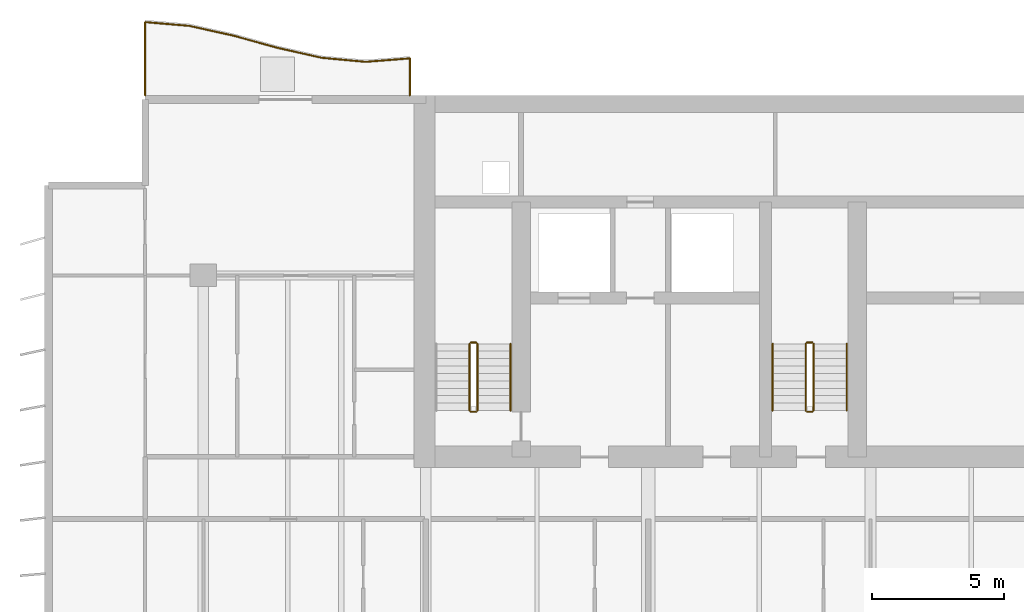
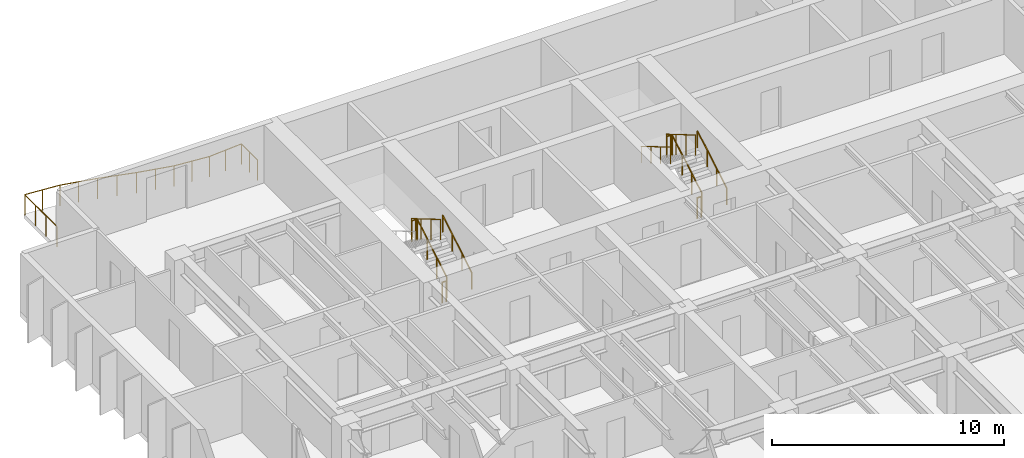
# One storey, part 14 of 16: 12 railings.
"""IFC4 building model written with IfcOpenShell, lengths in metres."""

from ifc_helpers import new_model, si_unit, direction, frame, origin, origin_2d, place, context, subcontext, project, spatial, circle, extrude, material, type_object, element, save


model = new_model("IFC4")

# Units and contexts
model_context = context("Model", 3, precision=1e-05, world=origin(), true_north=direction((0.0, 1.0)))
body_context = subcontext(model_context, "Body", "Model", "MODEL_VIEW")
ifc_project = project(units=[si_unit("LENGTHUNIT", "METRE"), si_unit("AREAUNIT", "SQUARE_METRE"), si_unit("VOLUMEUNIT", "CUBIC_METRE"), si_unit("PLANEANGLEUNIT", "RADIAN"), si_unit("MASSUNIT", "GRAM", prefix="KILO")], contexts=[model_context])

# Site, building, storey
site_placement = place(None, origin())
site = spatial("IfcSite", under=ifc_project, at=site_placement, CompositionType="ELEMENT")
building_placement = place(site_placement, origin())
building = spatial("IfcBuilding", under=site, at=building_placement, Name="Caelmar Bay Residences", CompositionType="ELEMENT")
storey_placement = place(building_placement, frame((0.0, 0.0, 102.60009765625)))
storey = spatial("IfcBuildingStorey", under=building, at=storey_placement, Name="L27", CompositionType="ELEMENT", Elevation=102.60009765625)

# Railings
ifc_material_1 = material(Name="Anodised bronze handrail with laminated hurricane glass infill", Category="glass")
railing_type_1 = type_object("IfcRailingType", Name="RL-BAL-1100", PredefinedType="BALUSTRADE", material=ifc_material_1)
railing_1_placement = place(storey_placement, frame((17.699951171875, 50.60009765625, 0.0)))
element("IfcRailing", 1, at=railing_1_placement, inside=storey, type_object=railing_type_1, Name="L27 north_west Balcony Balustrade", PredefinedType="BALUSTRADE", context=body_context, shape_type="SweptSolid", body=[
    extrude(circle(Radius=0.02392578125, at=origin_2d()), frame((0.0, 0.0, 1.076171875), z_axis=(0.0, 1.0, 0.0), x_axis=(-1.0, 0.0, 0.0)), (0.0, 0.0, 1.0), 1.400146484375),
    extrude(circle(Radius=0.02392578125, at=origin_2d()), frame((0.0, 1.400146484375, 1.076171875), z_axis=(-0.996966215155, -0.077835505006, 0.0), x_axis=(0.077835505006, -0.996966215155, 0.0)), (0.0, 0.0, 1.0), 1.671875),
    extrude(circle(Radius=0.02392578125, at=origin_2d()), frame((-1.666748046875, 1.27001953125, 1.076171875), z_axis=(-0.995860855496, 0.090890904333, 0.0), x_axis=(-0.090890904333, -0.995860855496, 0.0)), (0.0, 0.0, 1.0), 1.67333984375),
    extrude(circle(Radius=0.02392578125, at=origin_2d()), frame((-3.333251953125, 1.422119140625, 1.076171875), z_axis=(-0.975397413638, 0.220453817086, 0.0), x_axis=(-0.220453817086, -0.975397413638, 0.0)), (0.0, 0.0, 1.0), 1.708740234375),
    extrude(circle(Radius=0.02392578125, at=origin_2d()), frame((-5.0, 1.798828125, 1.076171875), z_axis=(-0.963967650546, 0.266019489326, 0.0), x_axis=(-0.266019489326, -0.963967650546, 0.0)), (0.0, 0.0, 1.0), 1.72900390625),
    extrude(circle(Radius=0.02392578125, at=origin_2d()), frame((-6.666748046875, 2.2587890625, 1.076171875), z_axis=(-0.976213972961, 0.216809314827, 0.0), x_axis=(-0.216809314827, -0.976213972961, 0.0)), (0.0, 0.0, 1.0), 1.70703125),
    extrude(circle(Radius=0.02392578125, at=origin_2d()), frame((-8.333251953125, 2.62890625, 1.076171875), z_axis=(-0.996435170563, 0.084362022643, 0.0), x_axis=(-0.084362022643, -0.996435170563, 0.0)), (0.0, 0.0, 1.0), 1.672607421875),
    extrude(circle(Radius=0.02392578125, at=origin_2d()), frame((-10.0, 2.77001953125, 1.076171875), z_axis=(0.0, -1.0, 0.0), x_axis=(1.0, 0.0, 0.0)), (0.0, 0.0, 1.0), 2.77001953125),
    extrude(circle(Radius=0.02099609375, at=origin_2d()), origin(), (0.0, 0.0, 1.0), 1.052001953125),
    extrude(circle(Radius=0.02099609375, at=origin_2d()), frame((0.0, 0.7001953125, 0.0)), (0.0, 0.0, 1.0), 1.052001953125),
    extrude(circle(Radius=0.02099609375, at=origin_2d()), frame((0.0, 1.400146484375, 0.0)), (0.0, 0.0, 1.0), 1.052001953125),
    extrude(circle(Radius=0.02099609375, at=origin_2d()), frame((-0.83349609375, 1.3349609375, 0.0)), (0.0, 0.0, 1.0), 1.052001953125),
    extrude(circle(Radius=0.02099609375, at=origin_2d()), frame((-1.666748046875, 1.27001953125, 0.0)), (0.0, 0.0, 1.0), 1.052001953125),
    extrude(circle(Radius=0.02099609375, at=origin_2d()), frame((-2.5, 1.34619140625, 0.0)), (0.0, 0.0, 1.0), 1.052001953125),
    extrude(circle(Radius=0.02099609375, at=origin_2d()), frame((-3.333251953125, 1.422119140625, 0.0)), (0.0, 0.0, 1.0), 1.052001953125),
    extrude(circle(Radius=0.02099609375, at=origin_2d()), frame((-4.16650390625, 1.6103515625, 0.0)), (0.0, 0.0, 1.0), 1.052001953125),
    extrude(circle(Radius=0.02099609375, at=origin_2d()), frame((-5.0, 1.798828125, 0.0)), (0.0, 0.0, 1.0), 1.052001953125),
    extrude(circle(Radius=0.02099609375, at=origin_2d()), frame((-5.83349609375, 2.02880859375, 0.0)), (0.0, 0.0, 1.0), 1.052001953125),
    extrude(circle(Radius=0.02099609375, at=origin_2d()), frame((-6.666748046875, 2.2587890625, 0.0)), (0.0, 0.0, 1.0), 1.052001953125),
    extrude(circle(Radius=0.02099609375, at=origin_2d()), frame((-7.5, 2.44384765625, 0.0)), (0.0, 0.0, 1.0), 1.052001953125),
    extrude(circle(Radius=0.02099609375, at=origin_2d()), frame((-8.333251953125, 2.62890625, 0.0)), (0.0, 0.0, 1.0), 1.052001953125),
    extrude(circle(Radius=0.02099609375, at=origin_2d()), frame((-9.16650390625, 2.699462890625, 0.0)), (0.0, 0.0, 1.0), 1.052001953125),
    extrude(circle(Radius=0.02099609375, at=origin_2d()), frame((-10.0, 2.77001953125, 0.0)), (0.0, 0.0, 1.0), 1.052001953125),
    extrude(circle(Radius=0.02099609375, at=origin_2d()), frame((-10.0, 1.8466796875, 0.0)), (0.0, 0.0, 1.0), 1.052001953125),
    extrude(circle(Radius=0.02099609375, at=origin_2d()), frame((-10.0, 0.92333984375, 0.0)), (0.0, 0.0, 1.0), 1.052001953125),
    extrude(circle(Radius=0.02099609375, at=origin_2d()), frame((-10.0, 0.0, 0.0)), (0.0, 0.0, 1.0), 1.052001953125),
])
ifc_material_2 = material(Name="Painted galvanized steel stair guard 1100 mm", Category="steel")
railing_type_2 = type_object("IfcRailingType", Name="RL-GRD-1100", PredefinedType="GUARDRAIL", material=ifc_material_2)
railing_2_placement = place(storey_placement, frame((20.25, 38.699951171875, 0.164794921875)))
element("IfcRailing", 2, at=railing_2_placement, inside=storey, type_object=railing_type_2, Name="L27 ST1 stair guard 1", PredefinedType="GUARDRAIL", context=body_context, shape_type="SweptSolid", body=[
    extrude(circle(Radius=0.02392578125, at=origin_2d()), frame((0.0, 0.0, 1.076171875), z_axis=(0.0, 0.86152411907, 0.507716645641), x_axis=(-1.0, 0.0, 0.0)), (0.0, 0.0, 1.0), 2.925048828125),
    extrude(circle(Radius=0.02099609375, at=origin_2d()), origin(), (0.0, 0.0, 1.0), 1.052001953125),
    extrude(circle(Radius=0.02099609375, at=origin_2d()), frame((0.0, 0.840087890625, 0.4951171875)), (0.0, 0.0, 1.0), 1.052001953125),
    extrude(circle(Radius=0.02099609375, at=origin_2d()), frame((0.0, 1.679931640625, 0.989990234375)), (0.0, 0.0, 1.0), 1.052001953125),
    extrude(circle(Radius=0.02099609375, at=origin_2d()), frame((0.0, 2.52001953125, 1.485107421875)), (0.0, 0.0, 1.0), 1.052001953125),
])
railing_3_placement = place(storey_placement, frame((20.199951171875, 41.27001953125, 1.64990234375)))
element("IfcRailing", 3, at=railing_3_placement, inside=storey, type_object=railing_type_2, Name="L27 ST1 stair guard 2", PredefinedType="GUARDRAIL", context=body_context, shape_type="SweptSolid", body=[
    extrude(circle(Radius=0.02392578125, at=origin_2d()), frame((0.0, 0.0, 1.076171875), z_axis=(-1.0, 0.0, 0.0), x_axis=(0.0, -1.0, 0.0)), (0.0, 0.0, 1.0), 0.199951171875),
    extrude(circle(Radius=0.02099609375, at=origin_2d()), origin(), (0.0, 0.0, 1.0), 1.052001953125),
    extrude(circle(Radius=0.02099609375, at=origin_2d()), frame((-0.199951171875, 0.0, 0.0)), (0.0, 0.0, 1.0), 1.052001953125),
])
railing_4_placement = place(storey_placement, frame((19.949951171875, 41.219970703125, 1.81494140625)))
element("IfcRailing", 4, at=railing_4_placement, inside=storey, type_object=railing_type_2, Name="L27 ST1 stair guard 3", PredefinedType="GUARDRAIL", context=body_context, shape_type="SweptSolid", body=[
    extrude(circle(Radius=0.02392578125, at=origin_2d()), frame((0.0, 0.0, 1.076171875), z_axis=(0.0, -0.861560626758, 0.507654692109), x_axis=(1.0, 0.0, 0.0)), (0.0, 0.0, 1.0), 2.925048828125),
    extrude(circle(Radius=0.02099609375, at=origin_2d()), origin(), (0.0, 0.0, 1.0), 1.052001953125),
    extrude(circle(Radius=0.02099609375, at=origin_2d()), frame((0.0, -0.840087890625, 0.494873046875)), (0.0, 0.0, 1.0), 1.052001953125),
    extrude(circle(Radius=0.02099609375, at=origin_2d()), frame((0.0, -1.679931640625, 0.989990234375)), (0.0, 0.0, 1.0), 1.052001953125),
    extrude(circle(Radius=0.02099609375, at=origin_2d()), frame((0.0, -2.52001953125, 1.48486328125)), (0.0, 0.0, 1.0), 1.052001953125),
])
railing_5_placement = place(storey_placement, frame((20.199951171875, 38.64990234375, 0.0)))
element("IfcRailing", 5, at=railing_5_placement, inside=storey, type_object=railing_type_2, Name="L27 ST1 stair guard 4", PredefinedType="GUARDRAIL", context=body_context, shape_type="SweptSolid", body=[
    extrude(circle(Radius=0.02392578125, at=origin_2d()), frame((0.0, 0.0, 1.076171875), z_axis=(-1.0, 0.0, 0.0), x_axis=(0.0, -1.0, 0.0)), (0.0, 0.0, 1.0), 0.199951171875),
    extrude(circle(Radius=0.02099609375, at=origin_2d()), origin(), (0.0, 0.0, 1.0), 1.052001953125),
    extrude(circle(Radius=0.02099609375, at=origin_2d()), frame((-0.199951171875, 0.0, 0.0)), (0.0, 0.0, 1.0), 1.052001953125),
])
railing_6_placement = place(storey_placement, frame((32.949951171875, 38.699951171875, 0.164794921875)))
element("IfcRailing", 6, at=railing_6_placement, inside=storey, type_object=railing_type_2, Name="L27 ST3 stair guard 1", PredefinedType="GUARDRAIL", context=body_context, shape_type="SweptSolid", body=[
    extrude(circle(Radius=0.02392578125, at=origin_2d()), frame((0.0, 0.0, 1.076171875), z_axis=(0.0, 0.86152411907, 0.507716645641), x_axis=(-1.0, 0.0, 0.0)), (0.0, 0.0, 1.0), 2.925048828125),
    extrude(circle(Radius=0.02099609375, at=origin_2d()), origin(), (0.0, 0.0, 1.0), 1.052001953125),
    extrude(circle(Radius=0.02099609375, at=origin_2d()), frame((0.0, 0.840087890625, 0.4951171875)), (0.0, 0.0, 1.0), 1.052001953125),
    extrude(circle(Radius=0.02099609375, at=origin_2d()), frame((0.0, 1.679931640625, 0.989990234375)), (0.0, 0.0, 1.0), 1.052001953125),
    extrude(circle(Radius=0.02099609375, at=origin_2d()), frame((0.0, 2.52001953125, 1.485107421875)), (0.0, 0.0, 1.0), 1.052001953125),
])
railing_7_placement = place(storey_placement, frame((32.89990234375, 41.27001953125, 1.64990234375)))
element("IfcRailing", 7, at=railing_7_placement, inside=storey, type_object=railing_type_2, Name="L27 ST3 stair guard 2", PredefinedType="GUARDRAIL", context=body_context, shape_type="SweptSolid", body=[
    extrude(circle(Radius=0.02392578125, at=origin_2d()), frame((0.0, 0.0, 1.076171875), z_axis=(-1.0, 0.0, 0.0), x_axis=(0.0, -1.0, 0.0)), (0.0, 0.0, 1.0), 0.199951171875),
    extrude(circle(Radius=0.02099609375, at=origin_2d()), origin(), (0.0, 0.0, 1.0), 1.052001953125),
    extrude(circle(Radius=0.02099609375, at=origin_2d()), frame((-0.199951171875, 0.0, 0.0)), (0.0, 0.0, 1.0), 1.052001953125),
])
railing_8_placement = place(storey_placement, frame((32.64990234375, 41.219970703125, 1.81494140625)))
element("IfcRailing", 8, at=railing_8_placement, inside=storey, type_object=railing_type_2, Name="L27 ST3 stair guard 3", PredefinedType="GUARDRAIL", context=body_context, shape_type="SweptSolid", body=[
    extrude(circle(Radius=0.02392578125, at=origin_2d()), frame((0.0, 0.0, 1.076171875), z_axis=(0.0, -0.861560626758, 0.507654692109), x_axis=(1.0, 0.0, 0.0)), (0.0, 0.0, 1.0), 2.925048828125),
    extrude(circle(Radius=0.02099609375, at=origin_2d()), origin(), (0.0, 0.0, 1.0), 1.052001953125),
    extrude(circle(Radius=0.02099609375, at=origin_2d()), frame((0.0, -0.840087890625, 0.494873046875)), (0.0, 0.0, 1.0), 1.052001953125),
    extrude(circle(Radius=0.02099609375, at=origin_2d()), frame((0.0, -1.679931640625, 0.989990234375)), (0.0, 0.0, 1.0), 1.052001953125),
    extrude(circle(Radius=0.02099609375, at=origin_2d()), frame((0.0, -2.52001953125, 1.48486328125)), (0.0, 0.0, 1.0), 1.052001953125),
])
railing_9_placement = place(storey_placement, frame((32.89990234375, 38.64990234375, 0.0)))
element("IfcRailing", 9, at=railing_9_placement, inside=storey, type_object=railing_type_2, Name="L27 ST3 stair guard 4", PredefinedType="GUARDRAIL", context=body_context, shape_type="SweptSolid", body=[
    extrude(circle(Radius=0.02392578125, at=origin_2d()), frame((0.0, 0.0, 1.076171875), z_axis=(-1.0, 0.0, 0.0), x_axis=(0.0, -1.0, 0.0)), (0.0, 0.0, 1.0), 0.199951171875),
    extrude(circle(Radius=0.02099609375, at=origin_2d()), origin(), (0.0, 0.0, 1.0), 1.052001953125),
    extrude(circle(Radius=0.02099609375, at=origin_2d()), frame((-0.199951171875, 0.0, 0.0)), (0.0, 0.0, 1.0), 1.052001953125),
])
ifc_material_3 = material(Name="Brushed bronze stainless-steel tubular handrail 900 mm", Category="steel")
railing_type_3 = type_object("IfcRailingType", Name="RL-HND-900", PredefinedType="HANDRAIL", material=ifc_material_3)
for number, where, name in (
    (10, (21.5, 38.699951171875, 0.164794921875), "L27 ST1 stair handrail 1"),
    (11, (34.199951171875, 38.699951171875, 0.164794921875), "L27 ST3 stair handrail 1"),
):
    element("IfcRailing", number, at=place(storey_placement, frame(where)), inside=storey, type_object=railing_type_3, Name=name, PredefinedType="HANDRAIL", context=body_context, shape_type="SweptSolid", body=[
        extrude(circle(Radius=0.02392578125, at=origin_2d()), frame((0.0, 0.0, 0.8759765625), z_axis=(0.0, 0.86152411907, 0.507716645641), x_axis=(-1.0, 0.0, 0.0)), (0.0, 0.0, 1.0), 2.925048828125),
        extrude(circle(Radius=0.02099609375, at=origin_2d()), origin(), (0.0, 0.0, 1.0), 0.851806640625),
        extrude(circle(Radius=0.02099609375, at=origin_2d()), frame((0.0, 0.840087890625, 0.4951171875)), (0.0, 0.0, 1.0), 0.851806640625),
        extrude(circle(Radius=0.02099609375, at=origin_2d()), frame((0.0, 1.679931640625, 0.989990234375)), (0.0, 0.0, 1.0), 0.851806640625),
        extrude(circle(Radius=0.02099609375, at=origin_2d()), frame((0.0, 2.52001953125, 1.485107421875)), (0.0, 0.0, 1.0), 0.851806640625),
    ])
railing_10_placement = place(storey_placement, frame((31.39990234375, 41.219970703125, 1.81494140625)))
element("IfcRailing", 12, at=railing_10_placement, inside=storey, type_object=railing_type_3, Name="L27 ST3 stair handrail 2", PredefinedType="HANDRAIL", context=body_context, shape_type="SweptSolid", body=[
    extrude(circle(Radius=0.02392578125, at=origin_2d()), frame((0.0, 0.0, 0.8759765625), z_axis=(0.0, -0.861560626758, 0.507654692109), x_axis=(1.0, 0.0, 0.0)), (0.0, 0.0, 1.0), 2.925048828125),
    extrude(circle(Radius=0.02099609375, at=origin_2d()), origin(), (0.0, 0.0, 1.0), 0.851806640625),
    extrude(circle(Radius=0.02099609375, at=origin_2d()), frame((0.0, -0.840087890625, 0.494873046875)), (0.0, 0.0, 1.0), 0.851806640625),
    extrude(circle(Radius=0.02099609375, at=origin_2d()), frame((0.0, -1.679931640625, 0.989990234375)), (0.0, 0.0, 1.0), 0.851806640625),
    extrude(circle(Radius=0.02099609375, at=origin_2d()), frame((0.0, -2.52001953125, 1.48486328125)), (0.0, 0.0, 1.0), 0.851806640625),
])

save(model, "model.ifc")
